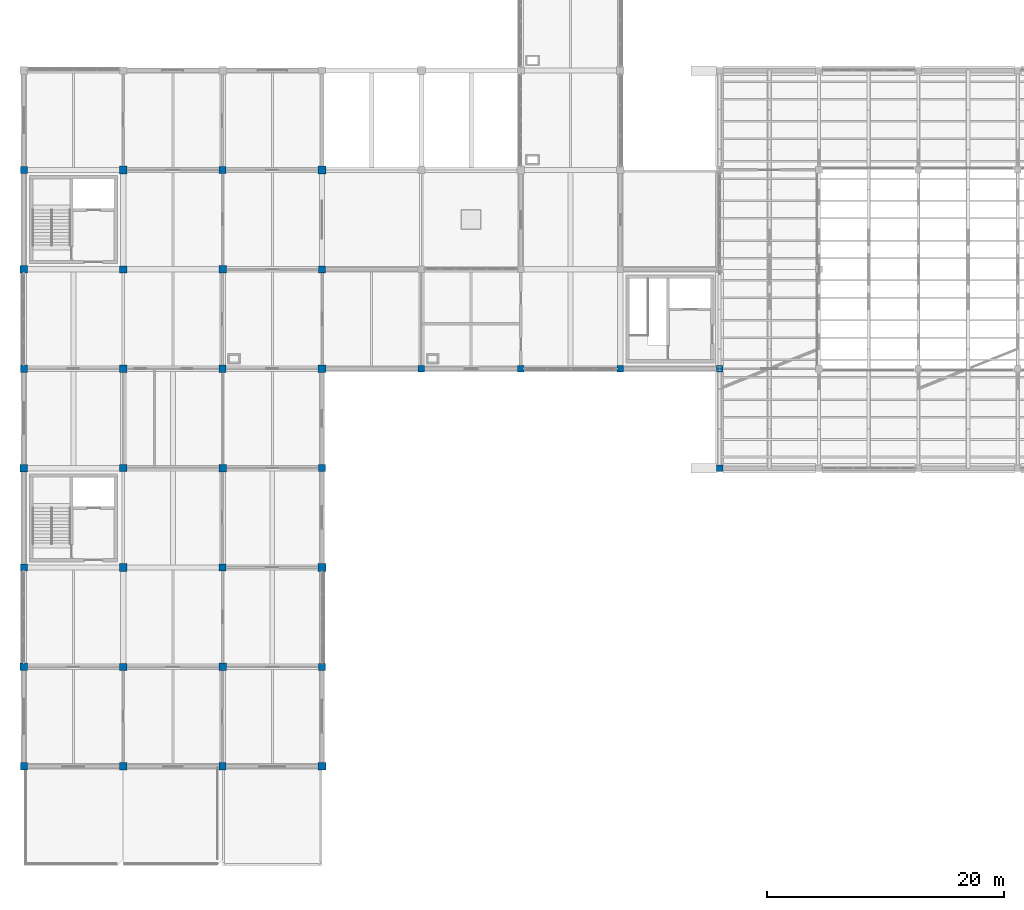
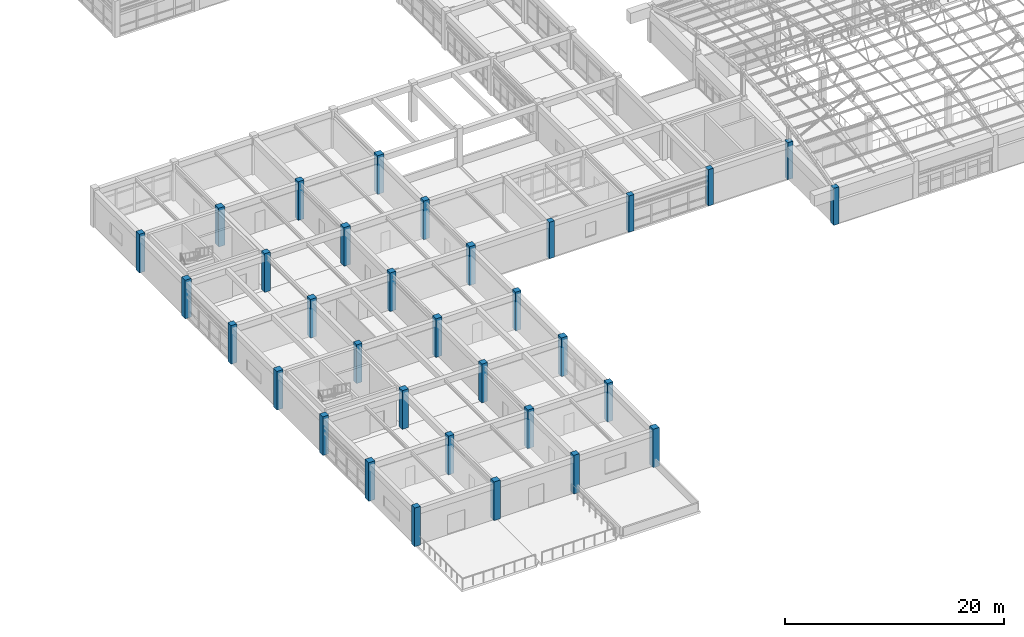
# One storey, part 1 of 74: 33 columns.
"""IFC4 building model written with IfcOpenShell, lengths in metres."""

from ifc_helpers import new_model, si_unit, direction, frame, origin, origin_2d, place, context, subcontext, project, spatial, rectangle, extrude, material, material_profile, profile_set, type_object, element, save


model = new_model("IFC4")

# Units and contexts
model_context = context("Model", 3, precision=1e-05, world=origin(), true_north=direction((0.0, 1.0)))
body_context = subcontext(model_context, "Body", "Model", "MODEL_VIEW")
ifc_project = project(units=[si_unit("LENGTHUNIT", "METRE"), si_unit("AREAUNIT", "SQUARE_METRE"), si_unit("VOLUMEUNIT", "CUBIC_METRE"), si_unit("PLANEANGLEUNIT", "RADIAN"), si_unit("MASSUNIT", "GRAM", prefix="KILO")], contexts=[model_context])

# Site, building, storey
site_placement = place(None, origin())
site = spatial("IfcSite", under=ifc_project, at=site_placement, CompositionType="ELEMENT")
building_placement = place(site_placement, origin())
building = spatial("IfcBuilding", under=site, at=building_placement, Name="Porcellanite Civic Hall", CompositionType="ELEMENT")
storey_placement = place(building_placement, frame((0.0, 0.0, 14.760009765625)))
storey = spatial("IfcBuildingStorey", under=building, at=storey_placement, Name="L03", CompositionType="ELEMENT", Elevation=14.760009765625)

# Columns
ifc_material_1 = material(Name="Concrete N50 (50 MPa)", Category="concrete")
ifc_material_profile_1 = material_profile(ifc_material_1, rectangle(XDim=0.550048828125, YDim=0.550048828125, at=origin_2d()), Name="RC-550x550")
ifc_profile_set_1 = profile_set([ifc_material_profile_1], Name="Concrete N50 (50 MPa)")
column_type_1 = type_object("IfcColumnType", Name="COL-550", PredefinedType="COLUMN", material=ifc_profile_set_1)
for number, where, z_axis, x_axis, name in (
    (1, (42.0, 50.39990234375, 0.0), (0.0, 0.0, 1.0), (1.0, 0.0, 0.0), "Column L03 5-6"),
    (2, (50.39990234375, 50.39990234375, 0.0), (0.0, 0.0, 1.0), (1.0, 0.0, 0.0), "Column L03 6-6"),
    (3, (58.800048828125, 50.39990234375, 0.0), (0.0, 0.0, 1.0), (1.0, 0.0, 0.0), "Column L03 7-6"),
):
    element("IfcColumn", number, at=place(storey_placement, frame(where, z_axis=z_axis, x_axis=x_axis)), inside=storey, type_object=column_type_1, Name=name, PredefinedType="COLUMN", context=body_context, shape_type="SweptSolid", body=[
        extrude(rectangle(XDim=0.550048828125, YDim=0.550048828125, at=origin_2d()), origin(), (0.0, 0.0, 1.0), 4.070068359375),
    ])
for number, where, z_axis, x_axis, name in (
    (4, (67.199951171875, 42.0, 0.0), (0.0, 0.0, 1.0), (1.0, 0.0, 0.0), "Column L03 8-5"),
    (5, (67.199951171875, 50.39990234375, 0.0), (0.0, 0.0, 1.0), (1.0, 0.0, 0.0), "Column L03 8-6"),
):
    element("IfcColumn", number, at=place(storey_placement, frame(where, z_axis=z_axis, x_axis=x_axis)), inside=storey, type_object=column_type_1, Name=name, PredefinedType="COLUMN", context=body_context, shape_type="SweptSolid", body=[
        extrude(rectangle(XDim=0.550048828125, YDim=0.550048828125, at=origin_2d()), origin(), (0.0, 0.0, 1.0), 4.139892578125),
    ])
ifc_material_2 = material(Name="Concrete N50 (50 MPa)", Category="concrete")
ifc_material_profile_2 = material_profile(ifc_material_2, rectangle(XDim=0.60009765625, YDim=0.60009765625, at=origin_2d()), Name="RC-600x600")
ifc_profile_set_2 = profile_set([ifc_material_profile_2], Name="Concrete N50 (50 MPa)")
column_type_2 = type_object("IfcColumnType", Name="COL-600", PredefinedType="COLUMN", material=ifc_profile_set_2)
for number, where, z_axis, x_axis, name in (
    (6, (8.39990234375, 16.800048828125, 0.0), (0.0, 0.0, 1.0), (1.0, 0.0, 0.0), "Column L03 1-2"),
    (7, (8.39990234375, 33.60009765625, 0.0), (0.0, 0.0, 1.0), (1.0, 0.0, 0.0), "Column L03 1-4"),
    (8, (8.39990234375, 50.39990234375, 0.0), (0.0, 0.0, 1.0), (1.0, 0.0, 0.0), "Column L03 1-6"),
    (9, (8.39990234375, 67.199951171875, 0.0), (0.0, 0.0, 1.0), (1.0, 0.0, 0.0), "Column L03 1-8"),
    (10, (16.800048828125, 25.199951171875, 0.0), (0.0, 0.0, 1.0), (1.0, 0.0, 0.0), "Column L03 2-3"),
    (11, (16.800048828125, 42.0, 0.0), (0.0, 0.0, 1.0), (1.0, 0.0, 0.0), "Column L03 2-5"),
    (12, (16.800048828125, 58.800048828125, 0.0), (0.0, 0.0, 1.0), (1.0, 0.0, 0.0), "Column L03 2-7"),
    (13, (25.199951171875, 16.800048828125, 0.0), (0.0, 0.0, 1.0), (1.0, 0.0, 0.0), "Column L03 3-2"),
    (14, (25.199951171875, 33.60009765625, 0.0), (0.0, 0.0, 1.0), (1.0, 0.0, 0.0), "Column L03 3-4"),
    (15, (25.199951171875, 50.39990234375, 0.0), (0.0, 0.0, 1.0), (1.0, 0.0, 0.0), "Column L03 3-6"),
    (16, (25.199951171875, 67.199951171875, 0.0), (0.0, 0.0, 1.0), (1.0, 0.0, 0.0), "Column L03 3-8"),
    (17, (33.60009765625, 25.199951171875, 0.0), (0.0, 0.0, 1.0), (1.0, 0.0, 0.0), "Column L03 4-3"),
    (18, (33.60009765625, 42.0, 0.0), (0.0, 0.0, 1.0), (1.0, 0.0, 0.0), "Column L03 4-5"),
    (19, (33.60009765625, 58.800048828125, 0.0), (0.0, 0.0, 1.0), (1.0, 0.0, 0.0), "Column L03 4-7"),
):
    element("IfcColumn", number, at=place(storey_placement, frame(where, z_axis=z_axis, x_axis=x_axis)), inside=storey, type_object=column_type_2, Name=name, PredefinedType="COLUMN", context=body_context, shape_type="SweptSolid", body=[
        extrude(rectangle(XDim=0.60009765625, YDim=0.60009765625, at=origin_2d()), origin(), (0.0, 0.0, 1.0), 4.320068359375),
    ])
ifc_material_3 = material(Name="Concrete N50 (50 MPa)", Category="concrete")
ifc_material_profile_3 = material_profile(ifc_material_3, rectangle(XDim=0.64990234375, YDim=0.64990234375, at=origin_2d()), Name="RC-650x650")
ifc_profile_set_3 = profile_set([ifc_material_profile_3], Name="Concrete N50 (50 MPa)")
column_type_3 = type_object("IfcColumnType", Name="COL-650", PredefinedType="COLUMN", material=ifc_profile_set_3)
for number, where, z_axis, x_axis, name in (
    (20, (8.39990234375, 25.199951171875, 0.0), (0.0, 0.0, 1.0), (1.0, 0.0, 0.0), "Column L03 1-3"),
    (21, (8.39990234375, 42.0, 0.0), (0.0, 0.0, 1.0), (1.0, 0.0, 0.0), "Column L03 1-5"),
    (22, (8.39990234375, 58.800048828125, 0.0), (0.0, 0.0, 1.0), (1.0, 0.0, 0.0), "Column L03 1-7"),
    (23, (16.800048828125, 16.800048828125, 0.0), (0.0, 0.0, 1.0), (1.0, 0.0, 0.0), "Column L03 2-2"),
    (24, (16.800048828125, 33.60009765625, 0.0), (0.0, 0.0, 1.0), (1.0, 0.0, 0.0), "Column L03 2-4"),
    (25, (16.800048828125, 50.39990234375, 0.0), (0.0, 0.0, 1.0), (1.0, 0.0, 0.0), "Column L03 2-6"),
    (26, (16.800048828125, 67.199951171875, 0.0), (0.0, 0.0, 1.0), (1.0, 0.0, 0.0), "Column L03 2-8"),
    (27, (25.199951171875, 25.199951171875, 0.0), (0.0, 0.0, 1.0), (1.0, 0.0, 0.0), "Column L03 3-3"),
    (28, (25.199951171875, 42.0, 0.0), (0.0, 0.0, 1.0), (1.0, 0.0, 0.0), "Column L03 3-5"),
    (29, (25.199951171875, 58.800048828125, 0.0), (0.0, 0.0, 1.0), (1.0, 0.0, 0.0), "Column L03 3-7"),
    (30, (33.60009765625, 16.800048828125, 0.0), (0.0, 0.0, 1.0), (1.0, 0.0, 0.0), "Column L03 4-2"),
    (31, (33.60009765625, 33.60009765625, 0.0), (0.0, 0.0, 1.0), (1.0, 0.0, 0.0), "Column L03 4-4"),
    (32, (33.60009765625, 50.39990234375, 0.0), (0.0, 0.0, 1.0), (1.0, 0.0, 0.0), "Column L03 4-6"),
    (33, (33.60009765625, 67.199951171875, 0.0), (0.0, 0.0, 1.0), (1.0, 0.0, 0.0), "Column L03 4-8"),
):
    element("IfcColumn", number, at=place(storey_placement, frame(where, z_axis=z_axis, x_axis=x_axis)), inside=storey, type_object=column_type_3, Name=name, PredefinedType="COLUMN", context=body_context, shape_type="SweptSolid", body=[
        extrude(rectangle(XDim=0.64990234375, YDim=0.64990234375, at=origin_2d()), origin(), (0.0, 0.0, 1.0), 4.320068359375),
    ])

save(model, "model.ifc")
